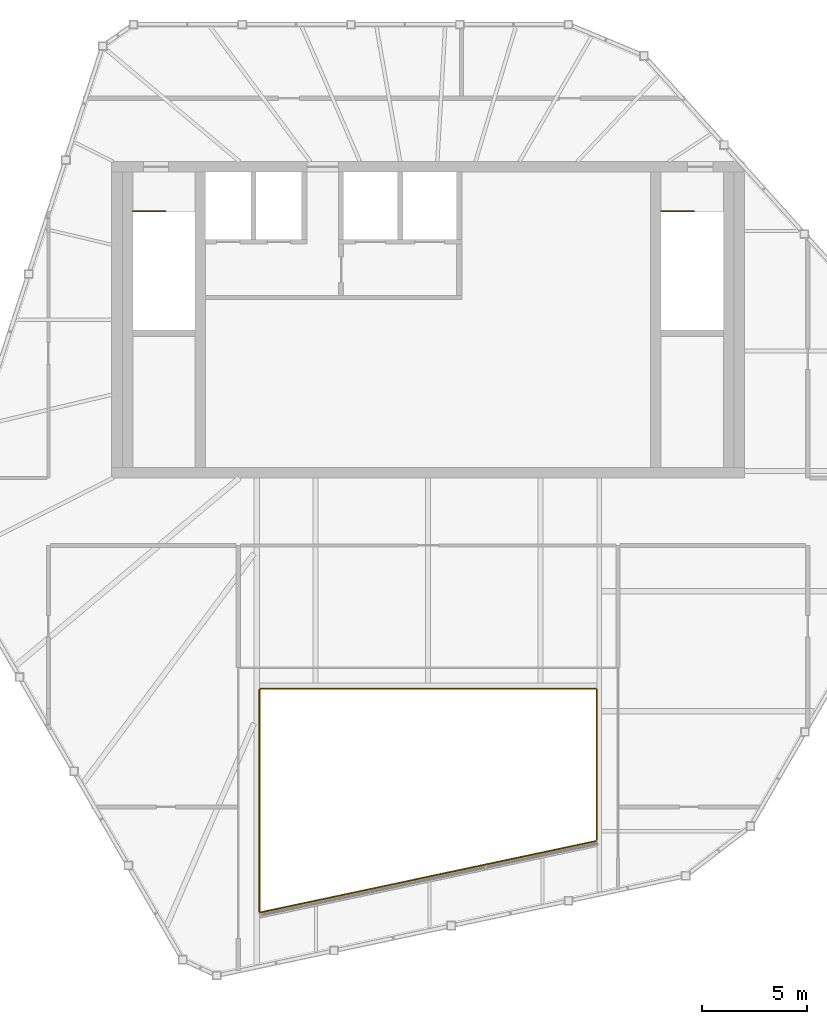
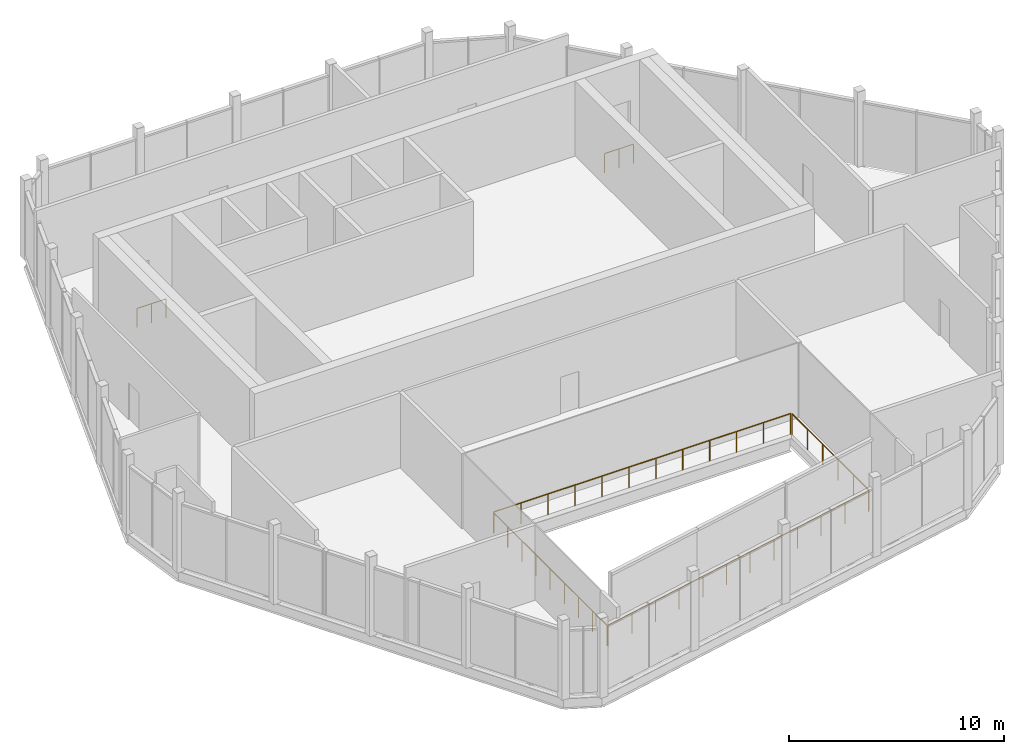
# One storey, part 10 of 10: 6 railings.
"""IFC4 building model written with IfcOpenShell, lengths in metres."""

from ifc_helpers import new_model, si_unit, direction, frame, origin, origin_2d, place, context, subcontext, project, spatial, circle, extrude, material, type_object, element, save


model = new_model("IFC4")

# Units and contexts
model_context = context("Model", 3, precision=1e-05, world=origin(), true_north=direction((0.0, 1.0)))
body_context = subcontext(model_context, "Body", "Model", "MODEL_VIEW")
ifc_project = project(units=[si_unit("LENGTHUNIT", "METRE"), si_unit("AREAUNIT", "SQUARE_METRE"), si_unit("VOLUMEUNIT", "CUBIC_METRE"), si_unit("PLANEANGLEUNIT", "RADIAN"), si_unit("MASSUNIT", "GRAM", prefix="KILO")], contexts=[model_context])

# Site, building, storey
site_placement = place(None, origin())
site = spatial("IfcSite", under=ifc_project, at=site_placement, CompositionType="ELEMENT")
building_placement = place(site_placement, origin())
building = spatial("IfcBuilding", under=site, at=building_placement, Name="Isthmus Gate Tower", CompositionType="ELEMENT")
storey_placement = place(building_placement, frame((0.0, 0.0, 311.10009765625)))
storey = spatial("IfcBuildingStorey", under=building, at=storey_placement, Name="C3", CompositionType="ELEMENT", Elevation=311.10009765625)

# Railings
ifc_material_1 = material(Name="Toughened laminated glass with stainless steel handrail", Category="steel")
railing_type_1 = type_object("IfcRailingType", Name="Atrium glass guard 1200", PredefinedType="GUARDRAIL", material=ifc_material_1)
railing_1_placement = place(storey_placement, frame((-7.951171875, -20.6005859375, 0.0)))
element("IfcRailing", 1, at=railing_1_placement, inside=storey, type_object=railing_type_1, Name="C3 atrium glass guard 1", PredefinedType="GUARDRAIL", context=body_context, shape_type="SweptSolid", body=[
    extrude(circle(Radius=0.030029296875, at=origin_2d()), frame((0.0, 0.0, 1.169921875), z_axis=(0.978150911752, 0.207896113091, 0.0), x_axis=(-0.207896113091, 0.978150911752, 0.0)), (0.0, 0.0, 1.0), 16.257568359375),
    extrude(circle(Radius=0.02490234375, at=origin_2d()), origin(), (0.0, 0.0, 1.0), 1.139892578125),
    extrude(circle(Radius=0.02490234375, at=origin_2d()), frame((1.445556640625, 0.307373046875, 0.0)), (0.0, 0.0, 1.0), 1.139892578125),
    extrude(circle(Radius=0.02490234375, at=origin_2d()), frame((2.891357421875, 0.614501953125, 0.0)), (0.0, 0.0, 1.0), 1.139892578125),
    extrude(circle(Radius=0.02490234375, at=origin_2d()), frame((4.3369140625, 0.921875, 0.0)), (0.0, 0.0, 1.0), 1.139892578125),
    extrude(circle(Radius=0.02490234375, at=origin_2d()), frame((5.78271484375, 1.22900390625, 0.0)), (0.0, 0.0, 1.0), 1.139892578125),
    extrude(circle(Radius=0.02490234375, at=origin_2d()), frame((7.228271484375, 1.536376953125, 0.0)), (0.0, 0.0, 1.0), 1.139892578125),
    extrude(circle(Radius=0.02490234375, at=origin_2d()), frame((8.674072265625, 1.843505859375, 0.0)), (0.0, 0.0, 1.0), 1.139892578125),
    extrude(circle(Radius=0.02490234375, at=origin_2d()), frame((10.11962890625, 2.15087890625, 0.0)), (0.0, 0.0, 1.0), 1.139892578125),
    extrude(circle(Radius=0.02490234375, at=origin_2d()), frame((11.5654296875, 2.4580078125, 0.0)), (0.0, 0.0, 1.0), 1.139892578125),
    extrude(circle(Radius=0.02490234375, at=origin_2d()), frame((13.010986328125, 2.765380859375, 0.0)), (0.0, 0.0, 1.0), 1.139892578125),
    extrude(circle(Radius=0.02490234375, at=origin_2d()), frame((14.456787109375, 3.072509765625, 0.0)), (0.0, 0.0, 1.0), 1.139892578125),
    extrude(circle(Radius=0.02490234375, at=origin_2d()), frame((15.90234375, 3.3798828125, 0.0)), (0.0, 0.0, 1.0), 1.139892578125),
])
railing_2_placement = place(storey_placement, frame((8.0, -17.16015625, 0.0)))
element("IfcRailing", 2, at=railing_2_placement, inside=storey, type_object=railing_type_1, Name="C3 atrium glass guard 2", PredefinedType="GUARDRAIL", context=body_context, shape_type="SweptSolid", body=[
    extrude(circle(Radius=0.030029296875, at=origin_2d()), frame((0.0, 0.0, 1.169921875), z_axis=(0.0, 1.0, 0.0), x_axis=(-1.0, 0.0, 0.0)), (0.0, 0.0, 1.0), 7.110107421875),
    extrude(circle(Radius=0.02490234375, at=origin_2d()), origin(), (0.0, 0.0, 1.0), 1.139892578125),
    extrude(circle(Radius=0.02490234375, at=origin_2d()), frame((0.0, 1.422119140625, 0.0)), (0.0, 0.0, 1.0), 1.139892578125),
    extrude(circle(Radius=0.02490234375, at=origin_2d()), frame((0.0, 2.843994140625, 0.0)), (0.0, 0.0, 1.0), 1.139892578125),
    extrude(circle(Radius=0.02490234375, at=origin_2d()), frame((0.0, 4.26611328125, 0.0)), (0.0, 0.0, 1.0), 1.139892578125),
    extrude(circle(Radius=0.02490234375, at=origin_2d()), frame((0.0, 5.68798828125, 0.0)), (0.0, 0.0, 1.0), 1.139892578125),
    extrude(circle(Radius=0.02490234375, at=origin_2d()), frame((0.0, 7.110107421875, 0.0)), (0.0, 0.0, 1.0), 1.139892578125),
])
railing_3_placement = place(storey_placement, frame((7.949951171875, -10.0, 0.0)))
element("IfcRailing", 3, at=railing_3_placement, inside=storey, type_object=railing_type_1, Name="C3 atrium glass guard 3", PredefinedType="GUARDRAIL", context=body_context, shape_type="SweptSolid", body=[
    extrude(circle(Radius=0.030029296875, at=origin_2d()), frame((0.0, 0.0, 1.169921875), z_axis=(-1.0, 0.0, 0.0), x_axis=(0.0, -1.0, 0.0)), (0.0, 0.0, 1.0), 15.89990234375),
    extrude(circle(Radius=0.02490234375, at=origin_2d()), origin(), (0.0, 0.0, 1.0), 1.139892578125),
    extrude(circle(Radius=0.02490234375, at=origin_2d()), frame((-1.445556640625, 0.0, 0.0)), (0.0, 0.0, 1.0), 1.139892578125),
    extrude(circle(Radius=0.02490234375, at=origin_2d()), frame((-2.890869140625, 0.0, 0.0)), (0.0, 0.0, 1.0), 1.139892578125),
    extrude(circle(Radius=0.02490234375, at=origin_2d()), frame((-4.33642578125, 0.0, 0.0)), (0.0, 0.0, 1.0), 1.139892578125),
    extrude(circle(Radius=0.02490234375, at=origin_2d()), frame((-5.78173828125, 0.0, 0.0)), (0.0, 0.0, 1.0), 1.139892578125),
    extrude(circle(Radius=0.02490234375, at=origin_2d()), frame((-7.227294921875, 0.0, 0.0)), (0.0, 0.0, 1.0), 1.139892578125),
    extrude(circle(Radius=0.02490234375, at=origin_2d()), frame((-8.672607421875, 0.0, 0.0)), (0.0, 0.0, 1.0), 1.139892578125),
    extrude(circle(Radius=0.02490234375, at=origin_2d()), frame((-10.1181640625, 0.0, 0.0)), (0.0, 0.0, 1.0), 1.139892578125),
    extrude(circle(Radius=0.02490234375, at=origin_2d()), frame((-11.5634765625, 0.0, 0.0)), (0.0, 0.0, 1.0), 1.139892578125),
    extrude(circle(Radius=0.02490234375, at=origin_2d()), frame((-13.009033203125, 0.0, 0.0)), (0.0, 0.0, 1.0), 1.139892578125),
    extrude(circle(Radius=0.02490234375, at=origin_2d()), frame((-14.454345703125, 0.0, 0.0)), (0.0, 0.0, 1.0), 1.139892578125),
    extrude(circle(Radius=0.02490234375, at=origin_2d()), frame((-15.89990234375, 0.0, 0.0)), (0.0, 0.0, 1.0), 1.139892578125),
])
railing_4_placement = place(storey_placement, frame((-8.0, -10.050048828125, 0.0)))
element("IfcRailing", 4, at=railing_4_placement, inside=storey, type_object=railing_type_1, Name="C3 atrium glass guard 4", PredefinedType="GUARDRAIL", context=body_context, shape_type="SweptSolid", body=[
    extrude(circle(Radius=0.030029296875, at=origin_2d()), frame((0.0, 0.0, 1.169921875), z_axis=(0.0, -1.0, 0.0), x_axis=(1.0, 0.0, 0.0)), (0.0, 0.0, 1.0), 10.510986328125),
    extrude(circle(Radius=0.02490234375, at=origin_2d()), origin(), (0.0, 0.0, 1.0), 1.139892578125),
    extrude(circle(Radius=0.02490234375, at=origin_2d()), frame((0.0, -1.31396484375, 0.0)), (0.0, 0.0, 1.0), 1.139892578125),
    extrude(circle(Radius=0.02490234375, at=origin_2d()), frame((0.0, -2.627685546875, 0.0)), (0.0, 0.0, 1.0), 1.139892578125),
    extrude(circle(Radius=0.02490234375, at=origin_2d()), frame((0.0, -3.941650390625, 0.0)), (0.0, 0.0, 1.0), 1.139892578125),
    extrude(circle(Radius=0.02490234375, at=origin_2d()), frame((0.0, -5.25537109375, 0.0)), (0.0, 0.0, 1.0), 1.139892578125),
    extrude(circle(Radius=0.02490234375, at=origin_2d()), frame((0.0, -6.5693359375, 0.0)), (0.0, 0.0, 1.0), 1.139892578125),
    extrude(circle(Radius=0.02490234375, at=origin_2d()), frame((0.0, -7.88330078125, 0.0)), (0.0, 0.0, 1.0), 1.139892578125),
    extrude(circle(Radius=0.02490234375, at=origin_2d()), frame((0.0, -9.197021484375, 0.0)), (0.0, 0.0, 1.0), 1.139892578125),
    extrude(circle(Radius=0.02490234375, at=origin_2d()), frame((0.0, -10.510986328125, 0.0)), (0.0, 0.0, 1.0), 1.139892578125),
])
ifc_material_2 = material(Name="Stainless steel balustrade", Category="steel")
railing_type_2 = type_object("IfcRailingType", Name="STAIR GUARD 1100", PredefinedType="GUARDRAIL", material=ifc_material_2)
for number, where, name in (
    (5, (-14.0, 12.64990234375, 0.0), "C3 ST1 top well guard 1"),
    (6, (11.050048828125, 12.64990234375, 0.0), "C3 ST2 top well guard 1"),
):
    element("IfcRailing", number, at=place(storey_placement, frame(where)), inside=storey, type_object=railing_type_2, Name=name, PredefinedType="GUARDRAIL", context=body_context, shape_type="SweptSolid", body=[
        extrude(circle(Radius=0.02392578125, at=origin_2d()), frame((0.0, 0.0, 1.076171875), z_axis=(1.0, 0.0, 0.0), x_axis=(0.0, 1.0, 0.0)), (0.0, 0.0, 1.0), 1.550048828125),
        extrude(circle(Radius=0.02099609375, at=origin_2d()), origin(), (0.0, 0.0, 1.0), 1.052001953125),
        extrude(circle(Radius=0.02099609375, at=origin_2d()), frame((0.77490234375, 0.0, 0.0)), (0.0, 0.0, 1.0), 1.052001953125),
        extrude(circle(Radius=0.02099609375, at=origin_2d()), frame((1.550048828125, 0.0, 0.0)), (0.0, 0.0, 1.0), 1.052001953125),
    ])

save(model, "model.ifc")
